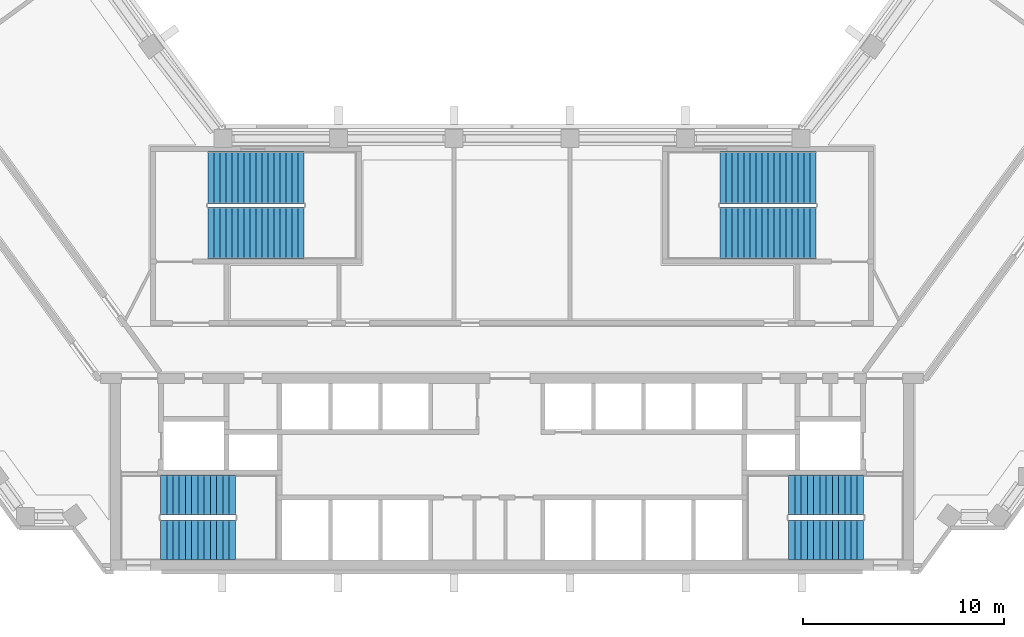
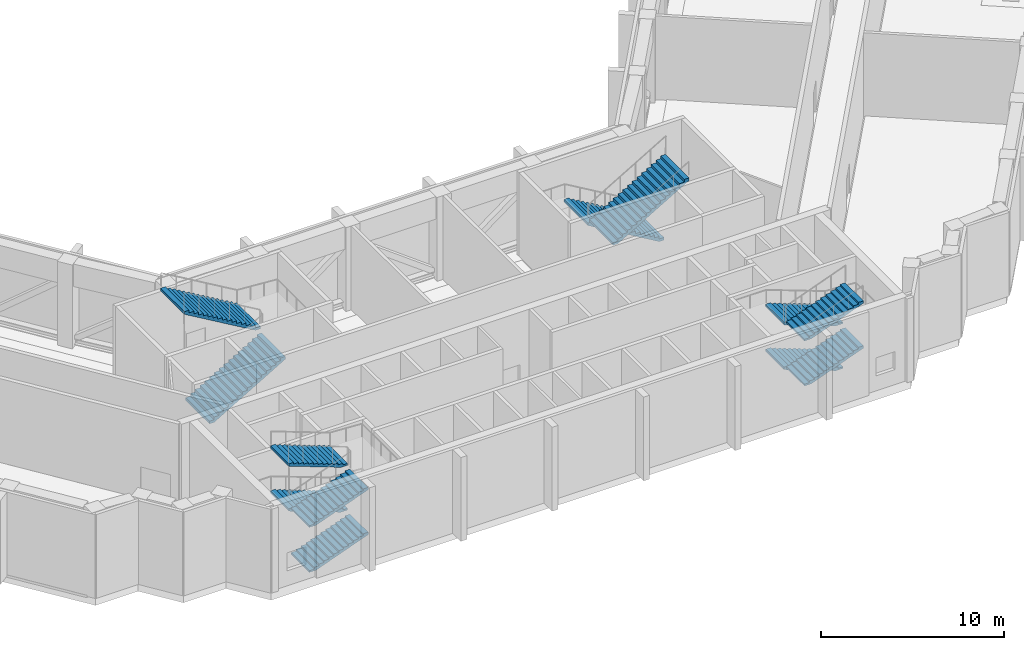
# One storey, part 13 of 16: 12 stair flights, 4 elements without a shape of their own.
"""IFC4 building model written with IfcOpenShell, lengths in metres."""

from ifc_helpers import new_model, si_unit, direction, frame, origin, place, context, subcontext, project, spatial, polyline, outline, extrude, material, type_object, element, aggregate, save


model = new_model("IFC4")

# Units and contexts
model_context = context("Model", 3, precision=1e-05, world=origin(), true_north=direction((0.0, 1.0)))
body_context = subcontext(model_context, "Body", "Model", "MODEL_VIEW")
ifc_project = project(units=[si_unit("LENGTHUNIT", "METRE"), si_unit("AREAUNIT", "SQUARE_METRE"), si_unit("VOLUMEUNIT", "CUBIC_METRE"), si_unit("PLANEANGLEUNIT", "RADIAN"), si_unit("MASSUNIT", "GRAM", prefix="KILO")], contexts=[model_context])

# Site, building, storey
site_placement = place(None, origin())
site = spatial("IfcSite", under=ifc_project, at=site_placement, CompositionType="ELEMENT")
building_placement = place(site_placement, origin())
building = spatial("IfcBuilding", under=site, at=building_placement, Name="Quipu Civic Tower", CompositionType="ELEMENT")
storey_placement = place(building_placement, frame((0.0, 0.0, 133.0)))
storey = spatial("IfcBuildingStorey", under=building, at=storey_placement, Name="L31", CompositionType="ELEMENT", Elevation=133.0)

# Stair, stair flights
ifc_material_1 = material(Name="Concrete C40/50", Category="concrete")
stair_type_1 = type_object("IfcStairType", Name="Half turn stair 2000", PredefinedType="HALF_TURN_STAIR", material=ifc_material_1)
stair_1_placement = place(storey_placement, origin())
stair_1 = element("IfcStair", 1, at=stair_1_placement, inside=storey, type_object=stair_type_1, Name="Exit stair 1", PredefinedType="HALF_TURN_STAIR")
ifc_material_2 = material(Name="Concrete C40/50", Category="concrete")
stair_flight_type_1 = type_object("IfcStairFlightType", Name="Stair flight 2000", PredefinedType="STRAIGHT", material=ifc_material_2)
stair_flight_1_placement = place(storey_placement, frame((-17.5, -9.5, 0.0), z_axis=(0.0, 0.0, 1.0), x_axis=(1.0, 0.0, 0.0)))
stair_flight_1 = element("IfcStairFlight", 2, at=stair_flight_1_placement, type_object=stair_flight_type_1, Name="ST-1 flight 1", NumberOfRisers=13, NumberOfTreads=12, PredefinedType="STRAIGHT", RiserHeight=0.115384615, TreadLength=0.31, context=body_context, shape_type="SweptSolid", body=[
    extrude(outline(polyline([(0.0, 0.0), (0.0, 0.115478515625), (0.31005859375, 0.115478515625), (0.31005859375, 0.230712890625), (0.6201171875, 0.230712890625), (0.6201171875, 0.34619140625), (0.929931640625, 0.34619140625), (0.929931640625, 0.46142578125), (1.239990234375, 0.46142578125), (1.239990234375, 0.576904296875), (1.550048828125, 0.576904296875), (1.550048828125, 0.6923828125), (1.860107421875, 0.6923828125), (1.860107421875, 0.8076171875), (2.169921875, 0.8076171875), (2.169921875, 0.923095703125), (2.47998046875, 0.923095703125), (2.47998046875, 1.03857421875), (2.7900390625, 1.03857421875), (2.7900390625, 1.15380859375), (3.10009765625, 1.15380859375), (3.10009765625, 1.269287109375), (3.409912109375, 1.269287109375), (3.409912109375, 1.384521484375), (3.719970703125, 1.384521484375), (3.719970703125, 1.5), (3.719970703125, 1.224609375), (0.4296875, 0.0), (0.0, 0.0)])), frame((0.0, 1.0, 0.0), z_axis=(0.0, -1.0, 0.0), x_axis=(1.0, 0.0, 0.0)), (0.0, 0.0, 1.0), 2.0),
])
stair_flight_2_placement = place(storey_placement, frame((-13.780029296875, -7.25, 1.5), z_axis=(0.0, 0.0, 1.0), x_axis=(-1.0, 0.0, 0.0)))
stair_flight_2 = element("IfcStairFlight", 3, at=stair_flight_2_placement, type_object=stair_flight_type_1, Name="ST-1 flight 2", NumberOfRisers=13, NumberOfTreads=12, PredefinedType="STRAIGHT", RiserHeight=0.115384615, TreadLength=0.31, context=body_context, shape_type="SweptSolid", body=[
    extrude(outline(polyline([(0.0, 0.0), (0.0, 0.115478515625), (0.31005859375, 0.115478515625), (0.31005859375, 0.230712890625), (0.6201171875, 0.230712890625), (0.6201171875, 0.34619140625), (0.929931640625, 0.34619140625), (0.929931640625, 0.46142578125), (1.239990234375, 0.46142578125), (1.239990234375, 0.576904296875), (1.550048828125, 0.576904296875), (1.550048828125, 0.6923828125), (1.860107421875, 0.6923828125), (1.860107421875, 0.8076171875), (2.169921875, 0.8076171875), (2.169921875, 0.923095703125), (2.47998046875, 0.923095703125), (2.47998046875, 1.03857421875), (2.7900390625, 1.03857421875), (2.7900390625, 1.15380859375), (3.10009765625, 1.15380859375), (3.10009765625, 1.269287109375), (3.409912109375, 1.269287109375), (3.409912109375, 1.384521484375), (3.719970703125, 1.384521484375), (3.719970703125, 1.5), (3.719970703125, 1.224609375), (0.4296875, 0.0), (0.0, 0.0)])), frame((0.0, 1.0, 0.0), z_axis=(0.0, -1.0, 0.0), x_axis=(1.0, 0.0, 0.0)), (0.0, 0.0, 1.0), 2.0),
])
stair_flight_3_placement = place(storey_placement, frame((-17.5, -9.5, 3.0), z_axis=(0.0, 0.0, 1.0), x_axis=(1.0, 0.0, 0.0)))
stair_flight_3 = element("IfcStairFlight", 4, at=stair_flight_3_placement, type_object=stair_flight_type_1, Name="ST-1 flight 3", NumberOfRisers=13, NumberOfTreads=12, PredefinedType="STRAIGHT", RiserHeight=0.115384615, TreadLength=0.31, context=body_context, shape_type="SweptSolid", body=[
    extrude(outline(polyline([(0.0, 0.0), (0.0, 0.115478515625), (0.31005859375, 0.115478515625), (0.31005859375, 0.230712890625), (0.6201171875, 0.230712890625), (0.6201171875, 0.34619140625), (0.929931640625, 0.34619140625), (0.929931640625, 0.46142578125), (1.239990234375, 0.46142578125), (1.239990234375, 0.576904296875), (1.550048828125, 0.576904296875), (1.550048828125, 0.6923828125), (1.860107421875, 0.6923828125), (1.860107421875, 0.8076171875), (2.169921875, 0.8076171875), (2.169921875, 0.923095703125), (2.47998046875, 0.923095703125), (2.47998046875, 1.03857421875), (2.7900390625, 1.03857421875), (2.7900390625, 1.15380859375), (3.10009765625, 1.15380859375), (3.10009765625, 1.269287109375), (3.409912109375, 1.269287109375), (3.409912109375, 1.384521484375), (3.719970703125, 1.384521484375), (3.719970703125, 1.5), (3.719970703125, 1.224609375), (0.4296875, 0.0), (0.0, 0.0)])), frame((0.0, 1.0, 0.0), z_axis=(0.0, -1.0, 0.0), x_axis=(1.0, 0.0, 0.0)), (0.0, 0.0, 1.0), 2.0),
])
stair_flight_4_placement = place(storey_placement, frame((-13.780029296875, -7.25, 4.5), z_axis=(0.0, 0.0, 1.0), x_axis=(-1.0, 0.0, 0.0)))
stair_flight_4 = element("IfcStairFlight", 5, at=stair_flight_4_placement, type_object=stair_flight_type_1, Name="ST-1 flight 4", NumberOfRisers=13, NumberOfTreads=12, PredefinedType="STRAIGHT", RiserHeight=0.115384615, TreadLength=0.31, context=body_context, shape_type="SweptSolid", body=[
    extrude(outline(polyline([(0.0, 0.0), (0.0, 0.115478515625), (0.31005859375, 0.115478515625), (0.31005859375, 0.230712890625), (0.6201171875, 0.230712890625), (0.6201171875, 0.34619140625), (0.929931640625, 0.34619140625), (0.929931640625, 0.46142578125), (1.239990234375, 0.46142578125), (1.239990234375, 0.576904296875), (1.550048828125, 0.576904296875), (1.550048828125, 0.6923828125), (1.860107421875, 0.6923828125), (1.860107421875, 0.8076171875), (2.169921875, 0.8076171875), (2.169921875, 0.923095703125), (2.47998046875, 0.923095703125), (2.47998046875, 1.03857421875), (2.7900390625, 1.03857421875), (2.7900390625, 1.15380859375), (3.10009765625, 1.15380859375), (3.10009765625, 1.269287109375), (3.409912109375, 1.269287109375), (3.409912109375, 1.384521484375), (3.719970703125, 1.384521484375), (3.719970703125, 1.5), (3.719970703125, 1.224609375), (0.4296875, 0.0), (0.0, 0.0)])), frame((0.0, 1.0, 0.0), z_axis=(0.0, -1.0, 0.0), x_axis=(1.0, 0.0, 0.0)), (0.0, 0.0, 1.0), 2.0),
])
aggregate(stair_1, [stair_flight_1, stair_flight_2, stair_flight_3, stair_flight_4])

stair_2_placement = place(storey_placement, origin())
stair_2 = element("IfcStair", 6, at=stair_2_placement, inside=storey, type_object=stair_type_1, Name="Exit stair 2", PredefinedType="HALF_TURN_STAIR")
stair_flight_5_placement = place(storey_placement, frame((17.5, -7.25, 0.0), z_axis=(0.0, 0.0, 1.0), x_axis=(-1.0, 0.0, 0.0)))
stair_flight_5 = element("IfcStairFlight", 7, at=stair_flight_5_placement, type_object=stair_flight_type_1, Name="ST-2 flight 1", NumberOfRisers=13, NumberOfTreads=12, PredefinedType="STRAIGHT", RiserHeight=0.115384615, TreadLength=0.31, context=body_context, shape_type="SweptSolid", body=[
    extrude(outline(polyline([(0.0, 0.0), (0.0, 0.115478515625), (0.31005859375, 0.115478515625), (0.31005859375, 0.230712890625), (0.6201171875, 0.230712890625), (0.6201171875, 0.34619140625), (0.929931640625, 0.34619140625), (0.929931640625, 0.46142578125), (1.239990234375, 0.46142578125), (1.239990234375, 0.576904296875), (1.550048828125, 0.576904296875), (1.550048828125, 0.6923828125), (1.860107421875, 0.6923828125), (1.860107421875, 0.8076171875), (2.169921875, 0.8076171875), (2.169921875, 0.923095703125), (2.47998046875, 0.923095703125), (2.47998046875, 1.03857421875), (2.7900390625, 1.03857421875), (2.7900390625, 1.15380859375), (3.10009765625, 1.15380859375), (3.10009765625, 1.269287109375), (3.409912109375, 1.269287109375), (3.409912109375, 1.384521484375), (3.719970703125, 1.384521484375), (3.719970703125, 1.5), (3.719970703125, 1.224609375), (0.4296875, 0.0), (0.0, 0.0)])), frame((0.0, 1.0, 0.0), z_axis=(0.0, -1.0, 0.0), x_axis=(1.0, 0.0, 0.0)), (0.0, 0.0, 1.0), 2.0),
])
stair_flight_6_placement = place(storey_placement, frame((13.780029296875, -9.5, 1.5), z_axis=(0.0, 0.0, 1.0), x_axis=(1.0, 0.0, 0.0)))
stair_flight_6 = element("IfcStairFlight", 8, at=stair_flight_6_placement, type_object=stair_flight_type_1, Name="ST-2 flight 2", NumberOfRisers=13, NumberOfTreads=12, PredefinedType="STRAIGHT", RiserHeight=0.115384615, TreadLength=0.31, context=body_context, shape_type="SweptSolid", body=[
    extrude(outline(polyline([(0.0, 0.0), (0.0, 0.115478515625), (0.31005859375, 0.115478515625), (0.31005859375, 0.230712890625), (0.6201171875, 0.230712890625), (0.6201171875, 0.34619140625), (0.929931640625, 0.34619140625), (0.929931640625, 0.46142578125), (1.239990234375, 0.46142578125), (1.239990234375, 0.576904296875), (1.550048828125, 0.576904296875), (1.550048828125, 0.6923828125), (1.860107421875, 0.6923828125), (1.860107421875, 0.8076171875), (2.169921875, 0.8076171875), (2.169921875, 0.923095703125), (2.47998046875, 0.923095703125), (2.47998046875, 1.03857421875), (2.7900390625, 1.03857421875), (2.7900390625, 1.15380859375), (3.10009765625, 1.15380859375), (3.10009765625, 1.269287109375), (3.409912109375, 1.269287109375), (3.409912109375, 1.384521484375), (3.719970703125, 1.384521484375), (3.719970703125, 1.5), (3.719970703125, 1.224609375), (0.4296875, 0.0), (0.0, 0.0)])), frame((0.0, 1.0, 0.0), z_axis=(0.0, -1.0, 0.0), x_axis=(1.0, 0.0, 0.0)), (0.0, 0.0, 1.0), 2.0),
])
stair_flight_7_placement = place(storey_placement, frame((17.5, -7.25, 3.0), z_axis=(0.0, 0.0, 1.0), x_axis=(-1.0, 0.0, 0.0)))
stair_flight_7 = element("IfcStairFlight", 9, at=stair_flight_7_placement, type_object=stair_flight_type_1, Name="ST-2 flight 3", NumberOfRisers=13, NumberOfTreads=12, PredefinedType="STRAIGHT", RiserHeight=0.115384615, TreadLength=0.31, context=body_context, shape_type="SweptSolid", body=[
    extrude(outline(polyline([(0.0, 0.0), (0.0, 0.115478515625), (0.31005859375, 0.115478515625), (0.31005859375, 0.230712890625), (0.6201171875, 0.230712890625), (0.6201171875, 0.34619140625), (0.929931640625, 0.34619140625), (0.929931640625, 0.46142578125), (1.239990234375, 0.46142578125), (1.239990234375, 0.576904296875), (1.550048828125, 0.576904296875), (1.550048828125, 0.6923828125), (1.860107421875, 0.6923828125), (1.860107421875, 0.8076171875), (2.169921875, 0.8076171875), (2.169921875, 0.923095703125), (2.47998046875, 0.923095703125), (2.47998046875, 1.03857421875), (2.7900390625, 1.03857421875), (2.7900390625, 1.15380859375), (3.10009765625, 1.15380859375), (3.10009765625, 1.269287109375), (3.409912109375, 1.269287109375), (3.409912109375, 1.384521484375), (3.719970703125, 1.384521484375), (3.719970703125, 1.5), (3.719970703125, 1.224609375), (0.4296875, 0.0), (0.0, 0.0)])), frame((0.0, 1.0, 0.0), z_axis=(0.0, -1.0, 0.0), x_axis=(1.0, 0.0, 0.0)), (0.0, 0.0, 1.0), 2.0),
])
stair_flight_8_placement = place(storey_placement, frame((13.780029296875, -9.5, 4.5), z_axis=(0.0, 0.0, 1.0), x_axis=(1.0, 0.0, 0.0)))
stair_flight_8 = element("IfcStairFlight", 10, at=stair_flight_8_placement, type_object=stair_flight_type_1, Name="ST-2 flight 4", NumberOfRisers=13, NumberOfTreads=12, PredefinedType="STRAIGHT", RiserHeight=0.115384615, TreadLength=0.31, context=body_context, shape_type="SweptSolid", body=[
    extrude(outline(polyline([(0.0, 0.0), (0.0, 0.115478515625), (0.31005859375, 0.115478515625), (0.31005859375, 0.230712890625), (0.6201171875, 0.230712890625), (0.6201171875, 0.34619140625), (0.929931640625, 0.34619140625), (0.929931640625, 0.46142578125), (1.239990234375, 0.46142578125), (1.239990234375, 0.576904296875), (1.550048828125, 0.576904296875), (1.550048828125, 0.6923828125), (1.860107421875, 0.6923828125), (1.860107421875, 0.8076171875), (2.169921875, 0.8076171875), (2.169921875, 0.923095703125), (2.47998046875, 0.923095703125), (2.47998046875, 1.03857421875), (2.7900390625, 1.03857421875), (2.7900390625, 1.15380859375), (3.10009765625, 1.15380859375), (3.10009765625, 1.269287109375), (3.409912109375, 1.269287109375), (3.409912109375, 1.384521484375), (3.719970703125, 1.384521484375), (3.719970703125, 1.5), (3.719970703125, 1.224609375), (0.4296875, 0.0), (0.0, 0.0)])), frame((0.0, 1.0, 0.0), z_axis=(0.0, -1.0, 0.0), x_axis=(1.0, 0.0, 0.0)), (0.0, 0.0, 1.0), 2.0),
])
aggregate(stair_2, [stair_flight_5, stair_flight_6, stair_flight_7, stair_flight_8])

ifc_material_3 = material(Name="Concrete C40/50", Category="concrete")
stair_type_2 = type_object("IfcStairType", Name="Half turn stair 2600", PredefinedType="HALF_TURN_STAIR", material=ifc_material_3)
stair_3_placement = place(storey_placement, origin())
stair_3 = element("IfcStair", 11, at=stair_3_placement, inside=storey, type_object=stair_type_2, Name="Exit stair 3", PredefinedType="HALF_TURN_STAIR")
ifc_material_4 = material(Name="Concrete C40/50", Category="concrete")
stair_flight_type_2 = type_object("IfcStairFlightType", Name="Stair flight 2600", PredefinedType="STRAIGHT", material=ifc_material_4)
stair_flight_9_placement = place(storey_placement, frame((-15.14990234375, 5.800048828125, 0.0), z_axis=(0.0, 0.0, 1.0), x_axis=(1.0, 0.0, 0.0)))
stair_flight_9 = element("IfcStairFlight", 12, at=stair_flight_9_placement, type_object=stair_flight_type_2, Name="ST-3 flight 1", NumberOfRisers=17, NumberOfTreads=16, PredefinedType="STRAIGHT", RiserHeight=0.176470588, TreadLength=0.3, context=body_context, shape_type="SweptSolid", body=[
    extrude(outline(polyline([(0.0, 0.0), (0.0, 0.176513671875), (0.300048828125, 0.176513671875), (0.300048828125, 0.35302734375), (0.60009765625, 0.35302734375), (0.60009765625, 0.529296875), (0.89990234375, 0.529296875), (0.89990234375, 0.705810546875), (1.199951171875, 0.705810546875), (1.199951171875, 0.88232421875), (1.5, 0.88232421875), (1.5, 1.058837890625), (1.800048828125, 1.058837890625), (1.800048828125, 1.2353515625), (2.10009765625, 1.2353515625), (2.10009765625, 1.411865234375), (2.39990234375, 1.411865234375), (2.39990234375, 1.588134765625), (2.699951171875, 1.588134765625), (2.699951171875, 1.7646484375), (3.0, 1.7646484375), (3.0, 1.941162109375), (3.300048828125, 1.941162109375), (3.300048828125, 2.11767578125), (3.60009765625, 2.11767578125), (3.60009765625, 2.294189453125), (3.89990234375, 2.294189453125), (3.89990234375, 2.470703125), (4.199951171875, 2.470703125), (4.199951171875, 2.64697265625), (4.5, 2.64697265625), (4.5, 2.823486328125), (4.800048828125, 2.823486328125), (4.800048828125, 3.0), (4.800048828125, 2.649658203125), (0.295654296875, 0.0), (0.0, 0.0)])), frame((0.0, 1.300048828125, 0.0), z_axis=(0.0, -1.0, 0.0), x_axis=(1.0, 0.0, 0.0)), (0.0, 0.0, 1.0), 2.60009765625),
])
stair_flight_10_placement = place(storey_placement, frame((-10.35009765625, 8.550048828125, 3.0), z_axis=(0.0, 0.0, 1.0), x_axis=(-1.0, 0.0, 0.0)))
stair_flight_10 = element("IfcStairFlight", 13, at=stair_flight_10_placement, type_object=stair_flight_type_2, Name="ST-3 flight 2", NumberOfRisers=17, NumberOfTreads=16, PredefinedType="STRAIGHT", RiserHeight=0.176470588, TreadLength=0.3, context=body_context, shape_type="SweptSolid", body=[
    extrude(outline(polyline([(0.0, 0.0), (0.0, 0.176513671875), (0.300048828125, 0.176513671875), (0.300048828125, 0.35302734375), (0.60009765625, 0.35302734375), (0.60009765625, 0.529296875), (0.89990234375, 0.529296875), (0.89990234375, 0.705810546875), (1.199951171875, 0.705810546875), (1.199951171875, 0.88232421875), (1.5, 0.88232421875), (1.5, 1.058837890625), (1.800048828125, 1.058837890625), (1.800048828125, 1.2353515625), (2.10009765625, 1.2353515625), (2.10009765625, 1.411865234375), (2.39990234375, 1.411865234375), (2.39990234375, 1.588134765625), (2.699951171875, 1.588134765625), (2.699951171875, 1.7646484375), (3.0, 1.7646484375), (3.0, 1.941162109375), (3.300048828125, 1.941162109375), (3.300048828125, 2.11767578125), (3.60009765625, 2.11767578125), (3.60009765625, 2.294189453125), (3.89990234375, 2.294189453125), (3.89990234375, 2.470703125), (4.199951171875, 2.470703125), (4.199951171875, 2.64697265625), (4.5, 2.64697265625), (4.5, 2.823486328125), (4.800048828125, 2.823486328125), (4.800048828125, 3.0), (4.800048828125, 2.649658203125), (0.295654296875, 0.0), (0.0, 0.0)])), frame((0.0, 1.300048828125, 0.0), z_axis=(0.0, -1.0, 0.0), x_axis=(1.0, 0.0, 0.0)), (0.0, 0.0, 1.0), 2.60009765625),
])
aggregate(stair_3, [stair_flight_9, stair_flight_10])

stair_4_placement = place(storey_placement, origin())
stair_4 = element("IfcStair", 14, at=stair_4_placement, inside=storey, type_object=stair_type_2, Name="Exit stair 4", PredefinedType="HALF_TURN_STAIR")
stair_flight_11_placement = place(storey_placement, frame((15.14990234375, 8.550048828125, 0.0), z_axis=(0.0, 0.0, 1.0), x_axis=(-1.0, 0.0, 0.0)))
stair_flight_11 = element("IfcStairFlight", 15, at=stair_flight_11_placement, type_object=stair_flight_type_2, Name="ST-4 flight 1", NumberOfRisers=17, NumberOfTreads=16, PredefinedType="STRAIGHT", RiserHeight=0.176470588, TreadLength=0.3, context=body_context, shape_type="SweptSolid", body=[
    extrude(outline(polyline([(0.0, 0.0), (0.0, 0.176513671875), (0.300048828125, 0.176513671875), (0.300048828125, 0.35302734375), (0.60009765625, 0.35302734375), (0.60009765625, 0.529296875), (0.89990234375, 0.529296875), (0.89990234375, 0.705810546875), (1.199951171875, 0.705810546875), (1.199951171875, 0.88232421875), (1.5, 0.88232421875), (1.5, 1.058837890625), (1.800048828125, 1.058837890625), (1.800048828125, 1.2353515625), (2.10009765625, 1.2353515625), (2.10009765625, 1.411865234375), (2.39990234375, 1.411865234375), (2.39990234375, 1.588134765625), (2.699951171875, 1.588134765625), (2.699951171875, 1.7646484375), (3.0, 1.7646484375), (3.0, 1.941162109375), (3.300048828125, 1.941162109375), (3.300048828125, 2.11767578125), (3.60009765625, 2.11767578125), (3.60009765625, 2.294189453125), (3.89990234375, 2.294189453125), (3.89990234375, 2.470703125), (4.199951171875, 2.470703125), (4.199951171875, 2.64697265625), (4.5, 2.64697265625), (4.5, 2.823486328125), (4.800048828125, 2.823486328125), (4.800048828125, 3.0), (4.800048828125, 2.649658203125), (0.295654296875, 0.0), (0.0, 0.0)])), frame((0.0, 1.300048828125, 0.0), z_axis=(0.0, -1.0, 0.0), x_axis=(1.0, 0.0, 0.0)), (0.0, 0.0, 1.0), 2.60009765625),
])
stair_flight_12_placement = place(storey_placement, frame((10.35009765625, 5.800048828125, 3.0), z_axis=(0.0, 0.0, 1.0), x_axis=(1.0, 0.0, 0.0)))
stair_flight_12 = element("IfcStairFlight", 16, at=stair_flight_12_placement, type_object=stair_flight_type_2, Name="ST-4 flight 2", NumberOfRisers=17, NumberOfTreads=16, PredefinedType="STRAIGHT", RiserHeight=0.176470588, TreadLength=0.3, context=body_context, shape_type="SweptSolid", body=[
    extrude(outline(polyline([(0.0, 0.0), (0.0, 0.176513671875), (0.300048828125, 0.176513671875), (0.300048828125, 0.35302734375), (0.60009765625, 0.35302734375), (0.60009765625, 0.529296875), (0.89990234375, 0.529296875), (0.89990234375, 0.705810546875), (1.199951171875, 0.705810546875), (1.199951171875, 0.88232421875), (1.5, 0.88232421875), (1.5, 1.058837890625), (1.800048828125, 1.058837890625), (1.800048828125, 1.2353515625), (2.10009765625, 1.2353515625), (2.10009765625, 1.411865234375), (2.39990234375, 1.411865234375), (2.39990234375, 1.588134765625), (2.699951171875, 1.588134765625), (2.699951171875, 1.7646484375), (3.0, 1.7646484375), (3.0, 1.941162109375), (3.300048828125, 1.941162109375), (3.300048828125, 2.11767578125), (3.60009765625, 2.11767578125), (3.60009765625, 2.294189453125), (3.89990234375, 2.294189453125), (3.89990234375, 2.470703125), (4.199951171875, 2.470703125), (4.199951171875, 2.64697265625), (4.5, 2.64697265625), (4.5, 2.823486328125), (4.800048828125, 2.823486328125), (4.800048828125, 3.0), (4.800048828125, 2.649658203125), (0.295654296875, 0.0), (0.0, 0.0)])), frame((0.0, 1.300048828125, 0.0), z_axis=(0.0, -1.0, 0.0), x_axis=(1.0, 0.0, 0.0)), (0.0, 0.0, 1.0), 2.60009765625),
])
aggregate(stair_4, [stair_flight_11, stair_flight_12])

save(model, "model.ifc")
